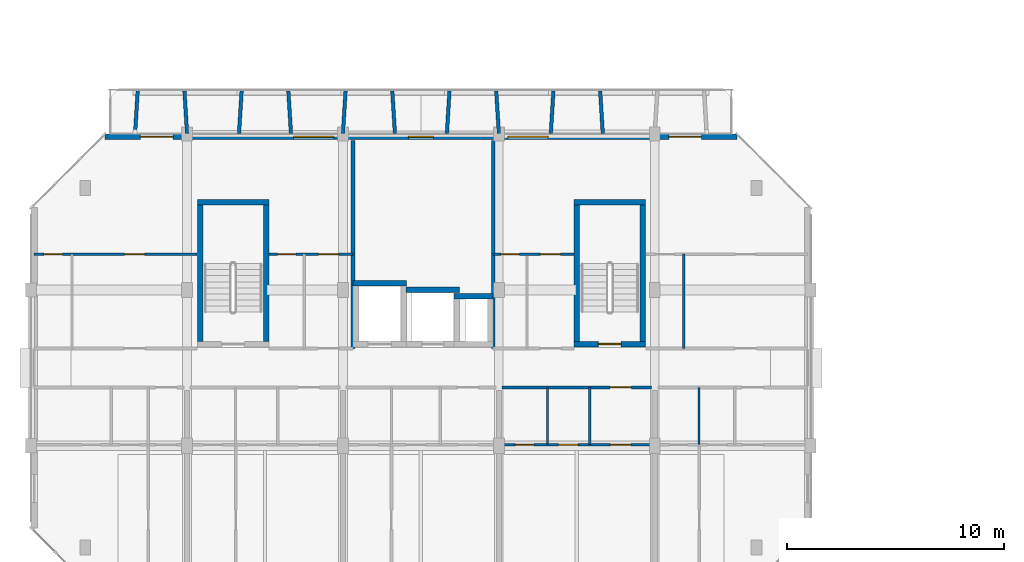
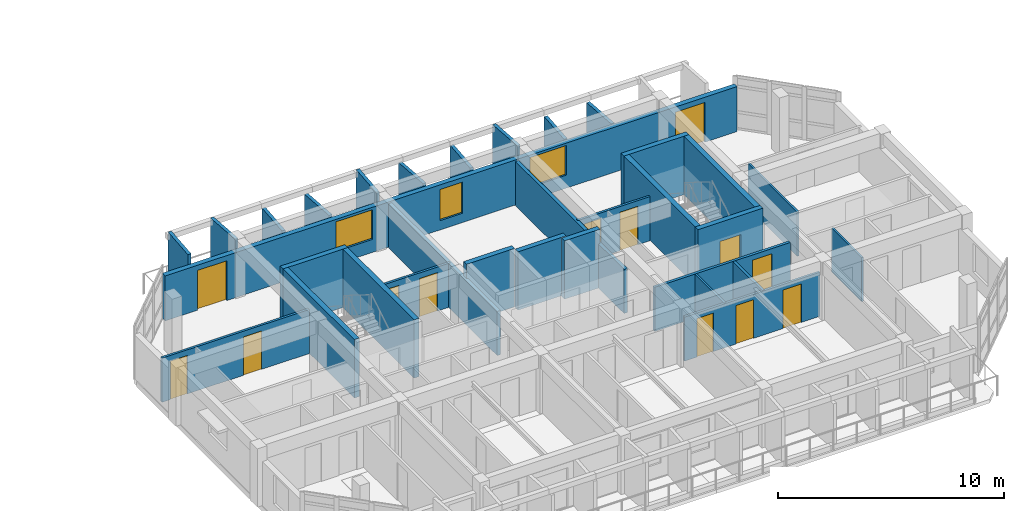
# One storey, part 33 of 64: 32 walls, 13 doors, 3 windows, 16 openings.
"""IFC4 building model written with IfcOpenShell, lengths in metres."""

from ifc_helpers import new_model, si_unit, direction, frame, frame_2d, origin, place, context, subcontext, project, spatial, rectangle, extrude, material, layer, layer_set, type_object, element, fill, save


model = new_model("IFC4")

# Units and contexts
model_context = context("Model", 3, precision=1e-05, world=origin(), true_north=direction((0.0, 1.0)))
body_context = subcontext(model_context, "Body", "Model", "MODEL_VIEW")
ifc_project = project(units=[si_unit("LENGTHUNIT", "METRE"), si_unit("AREAUNIT", "SQUARE_METRE"), si_unit("VOLUMEUNIT", "CUBIC_METRE"), si_unit("PLANEANGLEUNIT", "RADIAN"), si_unit("MASSUNIT", "GRAM", prefix="KILO")], contexts=[model_context])

# Site, building, storey
site_placement = place(None, origin())
site = spatial("IfcSite", under=ifc_project, at=site_placement, CompositionType="ELEMENT")
building_placement = place(site_placement, origin())
building = spatial("IfcBuilding", under=site, at=building_placement, Name="Ochrevale Crest", CompositionType="ELEMENT")
storey_placement = place(building_placement, frame((0.0, 0.0, 8.699951171875)))
storey = spatial("IfcBuildingStorey", under=building, at=storey_placement, Name="L02", CompositionType="ELEMENT", Elevation=8.699951171875)

# Wall, opening, door
ifc_material_1 = material(Name="Gypsum plasterboard", Category="gypsum")
ifc_layer_1 = layer(ifc_material_1, 0.139892578125)
ifc_layer_set_1 = layer_set([ifc_layer_1], Name="Gypsum plasterboard")
wall_type_1 = type_object("IfcWallType", Name="WL-COR-140", PredefinedType="PARTITIONING", material=ifc_layer_set_1)
wall_1_placement = place(storey_placement, frame((21.739990234375, 24.300048828125, 0.0), z_axis=(0.0, 0.0, 1.0), x_axis=(1.0, 0.0, 0.0)))
wall_1 = element("IfcWall", 1, at=wall_1_placement, inside=storey, type_object=wall_type_1, Name="Apartment A-L02-U4 corridor wall", PredefinedType="PARTITIONING", context=body_context, shape_type="SweptSolid", body=[
    extrude(rectangle(XDim=6.919921875, YDim=0.139892578125, at=frame_2d((3.4599609375, 0.0))), origin(), (0.0, 0.0, 1.0), 2.380126953125),
])
opening_1_placement = place(wall_1_placement, frame((4.9951171875, 0.0, 0.0)))
opening_1 = element("IfcOpeningElement", 2, at=opening_1_placement, cuts=wall_1, Name="Opening FD01", PredefinedType="OPENING", context=body_context, shape_type="SweptSolid", body=[
    extrude(rectangle(XDim=0.97998046875, YDim=2.10009765625, at=frame_2d((0.489990234375, 1.050048828125))), frame((0.0, 0.080078125, 0.0), z_axis=(0.0, -1.0, 0.0), x_axis=(1.0, 0.0, 0.0)), (0.0, 0.0, 1.0), 0.159912109375),
])
ifc_material_2 = material(Name="Solid-core FSC hardwood", Category="wood")
door_type_1 = type_object("IfcDoorType", Name="DR-APT-950", OperationType="NOTDEFINED", PredefinedType="DOOR", material=ifc_material_2)
door_1_placement = place(opening_1_placement, origin())
door_1 = element("IfcDoor", 3, at=door_1_placement, inside=storey, type_object=door_type_1, Name="Apartment A-L02-U4 entrance door", OperationType="SINGLE_SWING_LEFT", OverallHeight=2.10009765625, OverallWidth=0.97998046875, PredefinedType="DOOR", context=body_context, shape_type="SweptSolid", body=[
    extrude(rectangle(XDim=0.97998046875, YDim=2.10009765625, at=frame_2d((0.489990234375, 1.050048828125))), frame((0.0, 0.02490234375, 0.0), z_axis=(0.0, -1.0, 0.0), x_axis=(1.0, 0.0, 0.0)), (0.0, 0.0, 1.0), 0.050048828125),
])
fill(opening_1, door_1)

# Walls
ifc_material_3 = material(Name="Precast concrete C50/60", Category="concrete")
ifc_layer_2 = layer(ifc_material_3, 0.2548828125)
ifc_layer_set_2 = layer_set([ifc_layer_2], Name="Precast concrete C50/60")
wall_type_2 = type_object("IfcWallType", Name="WL-CORE-255", PredefinedType="SHEAR", material=ifc_layer_set_2)
wall_2_placement = place(storey_placement, frame((7.672607421875, 32.85009765625, 0.0), z_axis=(0.0, 0.0, 1.0), x_axis=(1.0, 0.0, 0.0)))
element("IfcWall", 4, at=wall_2_placement, inside=storey, type_object=wall_type_2, Name="Block A L02 Stair 1 precast core shear wall N", PredefinedType="SHEAR", context=body_context, shape_type="SweptSolid", body=[
    extrude(rectangle(XDim=3.304931640625, YDim=0.2548828125, at=frame_2d((1.65234375, 0.0))), origin(), (0.0, 0.0, 1.0), 3.150146484375),
])
for number, where, z_axis, x_axis, name in (
    (5, (7.800048828125, 26.427490234375, 0.0), (0.0, 0.0, 1.0), (0.0, 1.0, 0.0), "Block A L02 Stair 1 precast core shear wall W"),
    (6, (10.85009765625, 26.427490234375, 0.0), (0.0, 0.0, 1.0), (0.0, 1.0, 0.0), "Block A L02 Stair 1 precast core shear wall E"),
):
    element("IfcWall", number, at=place(storey_placement, frame(where, z_axis=z_axis, x_axis=x_axis)), inside=storey, type_object=wall_type_2, Name=name, PredefinedType="SHEAR", context=body_context, shape_type="SweptSolid", body=[
        extrude(rectangle(XDim=6.294921875, YDim=0.2548828125, at=frame_2d((3.1474609375, 0.0))), origin(), (0.0, 0.0, 1.0), 3.150146484375),
    ])

# Wall, opening, door
wall_3_placement = place(storey_placement, frame((25.072509765625, 26.300048828125, 0.0), z_axis=(0.0, 0.0, 1.0), x_axis=(1.0, 0.0, 0.0)))
wall_3 = element("IfcWall", 7, at=wall_3_placement, inside=storey, type_object=wall_type_2, Name="Block A L02 Stair 2 precast core shear wall S", PredefinedType="SHEAR", context=body_context, shape_type="SweptSolid", body=[
    extrude(rectangle(XDim=3.304931640625, YDim=0.2548828125, at=frame_2d((1.65234375, 0.0))), origin(), (0.0, 0.0, 1.0), 3.150146484375),
])
opening_2_placement = place(wall_3_placement, frame((1.12744140625, 0.0, 0.0)))
opening_2 = element("IfcOpeningElement", 8, at=opening_2_placement, cuts=wall_3, Name="Opening FD03", PredefinedType="OPENING", context=body_context, shape_type="SweptSolid", body=[
    extrude(rectangle(XDim=1.050048828125, YDim=2.1201171875, at=frame_2d((0.52490234375, 1.06005859375))), frame((0.0, 0.137451171875, 0.0), z_axis=(0.0, -1.0, 0.0), x_axis=(1.0, 0.0, 0.0)), (0.0, 0.0, 1.0), 0.27490234375),
])
door_type_2 = type_object("IfcDoorType", Name="DR-ST-1050", OperationType="NOTDEFINED", PredefinedType="DOOR", material=ifc_material_2)
door_2_placement = place(opening_2_placement, origin())
door_2 = element("IfcDoor", 9, at=door_2_placement, inside=storey, type_object=door_type_2, Name="Block A L02 fire stair 2 door", OperationType="SINGLE_SWING_LEFT", OverallHeight=2.1201171875, OverallWidth=1.050048828125, PredefinedType="DOOR", context=body_context, shape_type="SweptSolid", body=[
    extrude(rectangle(XDim=1.050048828125, YDim=2.1201171875, at=frame_2d((0.52490234375, 1.06005859375))), frame((0.0, 0.02490234375, 0.0), z_axis=(0.0, -1.0, 0.0), x_axis=(1.0, 0.0, 0.0)), (0.0, 0.0, 1.0), 0.050048828125),
])
fill(opening_2, door_2)

# Walls
wall_4_placement = place(storey_placement, frame((25.072509765625, 32.85009765625, 0.0), z_axis=(0.0, 0.0, 1.0), x_axis=(1.0, 0.0, 0.0)))
element("IfcWall", 10, at=wall_4_placement, inside=storey, type_object=wall_type_2, Name="Block A L02 Stair 2 precast core shear wall N", PredefinedType="SHEAR", context=body_context, shape_type="SweptSolid", body=[
    extrude(rectangle(XDim=3.304931640625, YDim=0.2548828125, at=frame_2d((1.65234375, 0.0))), origin(), (0.0, 0.0, 1.0), 3.150146484375),
])
for number, where, z_axis, x_axis, name in (
    (11, (25.199951171875, 26.427490234375, 0.0), (0.0, 0.0, 1.0), (0.0, 1.0, 0.0), "Block A L02 Stair 2 precast core shear wall W"),
    (12, (28.25, 26.427490234375, 0.0), (0.0, 0.0, 1.0), (0.0, 1.0, 0.0), "Block A L02 Stair 2 precast core shear wall E"),
):
    element("IfcWall", number, at=place(storey_placement, frame(where, z_axis=z_axis, x_axis=x_axis)), inside=storey, type_object=wall_type_2, Name=name, PredefinedType="SHEAR", context=body_context, shape_type="SweptSolid", body=[
        extrude(rectangle(XDim=6.294921875, YDim=0.2548828125, at=frame_2d((3.1474609375, 0.0))), origin(), (0.0, 0.0, 1.0), 3.150146484375),
    ])
wall_5_placement = place(storey_placement, frame((14.87255859375, 29.10009765625, 0.0), z_axis=(0.0, 0.0, 1.0), x_axis=(1.0, 0.0, 0.0)))
element("IfcWall", 13, at=wall_5_placement, inside=storey, type_object=wall_type_2, Name="Block A L02 Lift 1 precast shaft shear wall N", PredefinedType="SHEAR", context=body_context, shape_type="SweptSolid", body=[
    extrude(rectangle(XDim=2.454833984375, YDim=0.2548828125, at=frame_2d((1.2275390625, 0.0))), origin(), (0.0, 0.0, 1.0), 3.150146484375),
])
wall_6_placement = place(storey_placement, frame((17.322509765625, 28.800048828125, 0.0), z_axis=(0.0, 0.0, 1.0), x_axis=(1.0, 0.0, 0.0)))
element("IfcWall", 14, at=wall_6_placement, inside=storey, type_object=wall_type_2, Name="Block A L02 Lift 2 precast shaft shear wall N", PredefinedType="SHEAR", context=body_context, shape_type="SweptSolid", body=[
    extrude(rectangle(XDim=2.455078125, YDim=0.2548828125, at=frame_2d((1.2275390625, 0.0))), origin(), (0.0, 0.0, 1.0), 3.150146484375),
])
wall_7_placement = place(storey_placement, frame((19.5224609375, 28.5, 0.0), z_axis=(0.0, 0.0, 1.0), x_axis=(1.0, 0.0, 0.0)))
element("IfcWall", 15, at=wall_7_placement, inside=storey, type_object=wall_type_2, Name="Block A L02 services riser shaft core wall N", PredefinedType="SHEAR", context=body_context, shape_type="SweptSolid", body=[
    extrude(rectangle(XDim=1.804931640625, YDim=0.2548828125, at=frame_2d((0.90234375, 0.0))), origin(), (0.0, 0.0, 1.0), 3.150146484375),
])

# Wall, openings, doors, windows
ifc_material_4 = material(Name="Precast concrete C40/50", Category="concrete")
ifc_layer_3 = layer(ifc_material_4, 0.25)
ifc_layer_set_3 = layer_set([ifc_layer_3], Name="Precast concrete C40/50")
wall_type_3 = type_object("IfcWallType", Name="WL-EXT-GOLD-250", PredefinedType="SOLIDWALL", material=ifc_layer_set_3)
wall_8_placement = place(storey_placement, frame((32.60009765625, 35.875, 0.0), z_axis=(0.0, 0.0, 1.0), x_axis=(-1.0, 0.0, 0.0)))
wall_8 = element("IfcWall", 16, at=wall_8_placement, inside=storey, type_object=wall_type_3, Name="Block A L02 external facade wall E5", PredefinedType="SOLIDWALL", context=body_context, shape_type="SweptSolid", body=[
    extrude(rectangle(XDim=29.2001953125, YDim=0.25, at=frame_2d((14.60009765625, 0.0))), origin(), (0.0, 0.0, 1.0), 2.429931640625),
])
opening_3_placement = place(wall_8_placement, frame((27.550048828125, 0.0, 0.0), z_axis=(0.0, 0.0, 1.0), x_axis=(-1.0, 0.0, 0.0)))
opening_3 = element("IfcOpeningElement", 17, at=opening_3_placement, cuts=wall_8, Name="Opening BD01", PredefinedType="OPENING", context=body_context, shape_type="SweptSolid", body=[
    extrude(rectangle(XDim=1.5, YDim=2.14990234375, at=frame_2d((0.75, 1.074951171875))), frame((0.0, 0.135009765625, 0.0), z_axis=(0.0, -1.0, 0.0), x_axis=(1.0, 0.0, 0.0)), (0.0, 0.0, 1.0), 0.27001953125),
])
opening_4_placement = place(wall_8_placement, frame((3.14990234375, 0.0, 0.0), z_axis=(0.0, 0.0, 1.0), x_axis=(-1.0, 0.0, 0.0)))
opening_4 = element("IfcOpeningElement", 18, at=opening_4_placement, cuts=wall_8, Name="Opening BD01", PredefinedType="OPENING", context=body_context, shape_type="SweptSolid", body=[
    extrude(rectangle(XDim=1.5, YDim=2.14990234375, at=frame_2d((0.75, 1.074951171875))), frame((0.0, 0.135009765625, 0.0), z_axis=(0.0, -1.0, 0.0), x_axis=(1.0, 0.0, 0.0)), (0.0, 0.0, 1.0), 0.27001953125),
])
opening_5_placement = place(wall_8_placement, frame((14.02490234375, 0.0, 0.5)))
opening_5 = element("IfcOpeningElement", 19, at=opening_5_placement, cuts=wall_8, Name="Opening W32", PredefinedType="OPENING", context=body_context, shape_type="SweptSolid", body=[
    extrude(rectangle(XDim=1.14990234375, YDim=1.679931640625, at=frame_2d((0.574951171875, 0.83984375))), frame((0.0, 0.135009765625, 0.0), z_axis=(0.0, -1.0, 0.0), x_axis=(1.0, 0.0, 0.0)), (0.0, 0.0, 1.0), 0.27001953125),
])
opening_6_placement = place(wall_8_placement, frame((8.72509765625, 0.0, 0.699951171875)))
opening_6 = element("IfcOpeningElement", 20, at=opening_6_placement, cuts=wall_8, Name="Opening W11", PredefinedType="OPENING", context=body_context, shape_type="SweptSolid", body=[
    extrude(rectangle(XDim=1.860107421875, YDim=1.60009765625, at=frame_2d((0.93017578125, 0.800048828125))), frame((0.0, 0.135009765625, 0.0), z_axis=(0.0, -1.0, 0.0), x_axis=(1.0, 0.0, 0.0)), (0.0, 0.0, 1.0), 0.27001953125),
])
opening_7_placement = place(wall_8_placement, frame((18.614990234375, 0.0, 0.699951171875)))
opening_7 = element("IfcOpeningElement", 21, at=opening_7_placement, cuts=wall_8, Name="Opening W11", PredefinedType="OPENING", context=body_context, shape_type="SweptSolid", body=[
    extrude(rectangle(XDim=1.860107421875, YDim=1.60009765625, at=frame_2d((0.93017578125, 0.800048828125))), frame((0.0, 0.135009765625, 0.0), z_axis=(0.0, -1.0, 0.0), x_axis=(1.0, 0.0, 0.0)), (0.0, 0.0, 1.0), 0.27001953125),
])
ifc_material_5 = material(Name="Anodised aluminium 6063-T5 and toughened glass", Category="aluminium")
door_type_3 = type_object("IfcDoorType", Name="DR-BAL-1500", OperationType="NOTDEFINED", PredefinedType="DOOR", material=ifc_material_5)
door_3_placement = place(opening_3_placement, origin())
door_3 = element("IfcDoor", 22, at=door_3_placement, inside=storey, type_object=door_type_3, Name="Block A L02 balcony door N1", OperationType="SINGLE_SWING_LEFT", OverallHeight=2.14990234375, OverallWidth=1.5, PredefinedType="DOOR", context=body_context, shape_type="SweptSolid", body=[
    extrude(rectangle(XDim=1.5, YDim=2.14990234375, at=frame_2d((0.75, 1.074951171875))), frame((0.0, 0.02490234375, 0.0), z_axis=(0.0, -1.0, 0.0), x_axis=(1.0, 0.0, 0.0)), (0.0, 0.0, 1.0), 0.050048828125),
])
fill(opening_3, door_3)
door_4_placement = place(opening_4_placement, origin())
door_4 = element("IfcDoor", 23, at=door_4_placement, inside=storey, type_object=door_type_3, Name="Block A L02 balcony door N5", OperationType="SINGLE_SWING_RIGHT", OverallHeight=2.14990234375, OverallWidth=1.5, PredefinedType="DOOR", context=body_context, shape_type="SweptSolid", body=[
    extrude(rectangle(XDim=1.5, YDim=2.14990234375, at=frame_2d((0.75, 1.074951171875))), frame((0.0, 0.02490234375, 0.0), z_axis=(0.0, -1.0, 0.0), x_axis=(1.0, 0.0, 0.0)), (0.0, 0.0, 1.0), 0.050048828125),
])
fill(opening_4, door_4)
ifc_material_6 = material(Name="Anodised aluminium 6063-T5 and low-E double glazing", Category="aluminium")
window_type_1 = type_object("IfcWindowType", Name="WIN-W11", PartitioningType="SINGLE_PANEL", PredefinedType="WINDOW", material=ifc_material_6)
window_1_placement = place(opening_6_placement, origin())
window_1 = element("IfcWindow", 24, at=window_1_placement, inside=storey, type_object=window_type_1, Name="Block A L02 Suite A-L02-ME Garden Alcove Studio window", OverallHeight=1.60009765625, OverallWidth=1.860107421875, PartitioningType="SINGLE_PANEL", PredefinedType="WINDOW", context=body_context, shape_type="SweptSolid", body=[
    extrude(rectangle(XDim=1.860107421875, YDim=1.60009765625, at=frame_2d((0.93017578125, 0.800048828125))), frame((0.0, 0.030029296875, 0.0), z_axis=(0.0, -1.0, 0.0), x_axis=(1.0, 0.0, 0.0)), (0.0, 0.0, 1.0), 0.06005859375),
])
fill(opening_6, window_1)
window_2_placement = place(opening_7_placement, origin())
window_2 = element("IfcWindow", 25, at=window_2_placement, inside=storey, type_object=window_type_1, Name="Block A L02 Suite A-L02-MW Courtyard Studio Living window", OverallHeight=1.60009765625, OverallWidth=1.860107421875, PartitioningType="SINGLE_PANEL", PredefinedType="WINDOW", context=body_context, shape_type="SweptSolid", body=[
    extrude(rectangle(XDim=1.860107421875, YDim=1.60009765625, at=frame_2d((0.93017578125, 0.800048828125))), frame((0.0, 0.030029296875, 0.0), z_axis=(0.0, -1.0, 0.0), x_axis=(1.0, 0.0, 0.0)), (0.0, 0.0, 1.0), 0.06005859375),
])
fill(opening_7, window_2)
window_type_2 = type_object("IfcWindowType", Name="WIN-W32", PartitioningType="SINGLE_PANEL", PredefinedType="WINDOW", material=ifc_material_6)
window_3_placement = place(opening_5_placement, origin())
window_3 = element("IfcWindow", 26, at=window_3_placement, inside=storey, type_object=window_type_2, Name="Block A L02 core lancet window", OverallHeight=1.679931640625, OverallWidth=1.14990234375, PartitioningType="SINGLE_PANEL", PredefinedType="WINDOW", context=body_context, shape_type="SweptSolid", body=[
    extrude(rectangle(XDim=1.14990234375, YDim=1.679931640625, at=frame_2d((0.574951171875, 0.83984375))), frame((0.0, 0.030029296875, 0.0), z_axis=(0.0, -1.0, 0.0), x_axis=(1.0, 0.0, 0.0)), (0.0, 0.0, 1.0), 0.06005859375),
])
fill(opening_5, window_3)

# Walls
ifc_layer_4 = layer(ifc_material_4, 0.1650390625)
ifc_layer_set_4 = layer_set([ifc_layer_4], Name="Precast concrete C40/50")
wall_type_4 = type_object("IfcWallType", Name="WL-HC-CHEEK-165", PredefinedType="ELEMENTEDWALL", material=ifc_layer_set_4)
for number, where, z_axis, x_axis, name in (
    (27, (4.800048828125, 36.02001953125, 0.0), (0.0, 0.0, 1.0), (0.061046865508, 0.998134900808, 0.0), "Block A L02 N precast honeycomb cheek 1"),
    (28, (7.199951171875, 36.02001953125, 0.0), (0.0, 0.0, 1.0), (-0.061046865508, 0.998134900808, 0.0), "Block A L02 N precast honeycomb cheek 2"),
):
    element("IfcWall", number, at=place(storey_placement, frame(where, z_axis=z_axis, x_axis=x_axis)), inside=storey, type_object=wall_type_4, Name=name, PredefinedType="ELEMENTEDWALL", context=body_context, shape_type="SweptSolid", body=[
        extrude(rectangle(XDim=1.963623046875, YDim=0.1650390625, at=frame_2d((0.98193359375, 0.0))), origin(), (0.0, 0.0, 1.0), 2.949951171875),
    ])
for number, where, z_axis, x_axis, name in (
    (29, (9.60009765625, 36.02001953125, 0.0), (0.0, 0.0, 1.0), (0.061046865508, 0.998134900808, 0.0), "Block A L02 N precast honeycomb cheek 3"),
    (30, (12.0, 36.02001953125, 0.0), (0.0, 0.0, 1.0), (-0.061170732449, 0.998127317276, 0.0), "Block A L02 N precast honeycomb cheek 4"),
):
    element("IfcWall", number, at=place(storey_placement, frame(where, z_axis=z_axis, x_axis=x_axis)), inside=storey, type_object=wall_type_4, Name=name, PredefinedType="ELEMENTEDWALL", context=body_context, shape_type="SweptSolid", body=[
        extrude(rectangle(XDim=1.963623046875, YDim=0.1650390625, at=frame_2d((0.98193359375, 0.0))), origin(), (0.0, 0.0, 1.0), 2.550048828125),
    ])
wall_9_placement = place(storey_placement, frame((14.39990234375, 36.02001953125, 0.0), z_axis=(0.0, 0.0, 1.0), x_axis=(0.061170732449, 0.998127317276, 0.0)))
element("IfcWall", 31, at=wall_9_placement, inside=storey, type_object=wall_type_4, Name="Block A L02 N precast honeycomb cheek 5", PredefinedType="ELEMENTEDWALL", context=body_context, shape_type="SweptSolid", body=[
    extrude(rectangle(XDim=1.963623046875, YDim=0.1650390625, at=frame_2d((0.98193359375, 0.0))), origin(), (0.0, 0.0, 1.0), 2.949951171875),
])
for number, where, z_axis, x_axis, name in (
    (32, (16.800048828125, 36.02001953125, 0.0), (0.0, 0.0, 1.0), (-0.061170732449, 0.998127317276, 0.0), "Block A L02 N precast honeycomb cheek 6"),
    (33, (19.199951171875, 36.02001953125, 0.0), (0.0, 0.0, 1.0), (0.061170732449, 0.998127317276, 0.0), "Block A L02 N precast honeycomb cheek 7"),
):
    element("IfcWall", number, at=place(storey_placement, frame(where, z_axis=z_axis, x_axis=x_axis)), inside=storey, type_object=wall_type_4, Name=name, PredefinedType="ELEMENTEDWALL", context=body_context, shape_type="SweptSolid", body=[
        extrude(rectangle(XDim=1.963623046875, YDim=0.1650390625, at=frame_2d((0.98193359375, 0.0))), origin(), (0.0, 0.0, 1.0), 2.580078125),
    ])
wall_10_placement = place(storey_placement, frame((21.60009765625, 36.02001953125, 0.0), z_axis=(0.0, 0.0, 1.0), x_axis=(-0.061170732449, 0.998127317276, 0.0)))
element("IfcWall", 34, at=wall_10_placement, inside=storey, type_object=wall_type_4, Name="Block A L02 N precast honeycomb cheek 8", PredefinedType="ELEMENTEDWALL", context=body_context, shape_type="SweptSolid", body=[
    extrude(rectangle(XDim=1.963623046875, YDim=0.1650390625, at=frame_2d((0.98193359375, 0.0))), origin(), (0.0, 0.0, 1.0), 2.949951171875),
])
for number, where, z_axis, x_axis, name in (
    (35, (24.0, 36.02001953125, 0.0), (0.0, 0.0, 1.0), (0.061170732449, 0.998127317276, 0.0), "Block A L02 N precast honeycomb cheek 9"),
    (36, (26.39990234375, 36.02001953125, 0.0), (0.0, 0.0, 1.0), (-0.061046865508, 0.998134900808, 0.0), "Block A L02 N precast honeycomb cheek 10"),
):
    element("IfcWall", number, at=place(storey_placement, frame(where, z_axis=z_axis, x_axis=x_axis)), inside=storey, type_object=wall_type_4, Name=name, PredefinedType="ELEMENTEDWALL", context=body_context, shape_type="SweptSolid", body=[
        extrude(rectangle(XDim=1.963623046875, YDim=0.1650390625, at=frame_2d((0.98193359375, 0.0))), origin(), (0.0, 0.0, 1.0), 2.449951171875),
    ])
ifc_layer_5 = layer(ifc_material_1, 0.1201171875)
ifc_layer_set_5 = layer_set([ifc_layer_5], Name="Gypsum plasterboard")
wall_type_5 = type_object("IfcWallType", Name="WL-PART-120", PredefinedType="PARTITIONING", material=ifc_layer_set_5)
wall_11_placement = place(storey_placement, frame((25.7900390625, 21.64990234375, 0.0), z_axis=(0.0, 0.0, 1.0), x_axis=(0.0, 1.0, 0.0)))
element("IfcWall", 37, at=wall_11_placement, inside=storey, type_object=wall_type_5, Name="Apartment A-L02-U4 kitchen-foyer wall", PredefinedType="PARTITIONING", context=body_context, shape_type="SweptSolid", body=[
    extrude(rectangle(XDim=2.650146484375, YDim=0.1201171875, at=frame_2d((1.3251953125, 0.0))), origin(), (0.0, 0.0, 1.0), 2.375),
])

# Wall, openings, doors
wall_12_placement = place(storey_placement, frame((21.739990234375, 21.64990234375, 0.0), z_axis=(0.0, 0.0, 1.0), x_axis=(1.0, 0.0, 0.0)))
wall_12 = element("IfcWall", 38, at=wall_12_placement, inside=storey, type_object=wall_type_5, Name="Apartment A-L02-U4 central partition", PredefinedType="PARTITIONING", context=body_context, shape_type="SweptSolid", body=[
    extrude(rectangle(XDim=6.919921875, YDim=0.1201171875, at=frame_2d((3.4599609375, 0.0))), origin(), (0.0, 0.0, 1.0), 2.375),
])
opening_8_placement = place(wall_12_placement, frame((1.47509765625, 0.0, 0.0), z_axis=(0.0, 0.0, 1.0), x_axis=(-1.0, 0.0, 0.0)))
opening_8 = element("IfcOpeningElement", 39, at=opening_8_placement, cuts=wall_12, Name="Opening ID01", PredefinedType="OPENING", context=body_context, shape_type="SweptSolid", body=[
    extrude(rectangle(XDim=0.85009765625, YDim=2.080078125, at=frame_2d((0.425048828125, 1.0400390625))), frame((0.0, 0.070068359375, 0.0), z_axis=(0.0, -1.0, 0.0), x_axis=(1.0, 0.0, 0.0)), (0.0, 0.0, 1.0), 0.14013671875),
])
opening_9_placement = place(wall_12_placement, frame((2.625, 0.0, 0.0)))
opening_9 = element("IfcOpeningElement", 40, at=opening_9_placement, cuts=wall_12, Name="Opening ID02", PredefinedType="OPENING", context=body_context, shape_type="SweptSolid", body=[
    extrude(rectangle(XDim=0.89990234375, YDim=2.080078125, at=frame_2d((0.449951171875, 1.0400390625))), frame((0.0, 0.070068359375, 0.0), z_axis=(0.0, -1.0, 0.0), x_axis=(1.0, 0.0, 0.0)), (0.0, 0.0, 1.0), 0.14013671875),
])
opening_10_placement = place(wall_12_placement, frame((5.9599609375, 0.0, 0.0), z_axis=(0.0, 0.0, 1.0), x_axis=(-1.0, 0.0, 0.0)))
opening_10 = element("IfcOpeningElement", 41, at=opening_10_placement, cuts=wall_12, Name="Opening ID06", PredefinedType="OPENING", context=body_context, shape_type="SweptSolid", body=[
    extrude(rectangle(XDim=0.949951171875, YDim=2.080078125, at=frame_2d((0.47509765625, 1.0400390625))), frame((0.0, 0.070068359375, 0.0), z_axis=(0.0, -1.0, 0.0), x_axis=(1.0, 0.0, 0.0)), (0.0, 0.0, 1.0), 0.14013671875),
])
door_type_4 = type_object("IfcDoorType", Name="DR-INT-900", OperationType="NOTDEFINED", PredefinedType="DOOR", material=ifc_material_2)
door_5_placement = place(opening_9_placement, origin())
door_5 = element("IfcDoor", 42, at=door_5_placement, inside=storey, type_object=door_type_4, Name="Apartment A-L02-U4 Kitchen door", OperationType="SINGLE_SWING_LEFT", OverallHeight=2.080078125, OverallWidth=0.89990234375, PredefinedType="DOOR", context=body_context, shape_type="SweptSolid", body=[
    extrude(rectangle(XDim=0.89990234375, YDim=2.080078125, at=frame_2d((0.449951171875, 1.0400390625))), frame((0.0, 0.02490234375, 0.0), z_axis=(0.0, -1.0, 0.0), x_axis=(1.0, 0.0, 0.0)), (0.0, 0.0, 1.0), 0.050048828125),
])
fill(opening_9, door_5)
door_type_5 = type_object("IfcDoorType", Name="DR-INT-950", OperationType="NOTDEFINED", PredefinedType="DOOR", material=ifc_material_2)
door_6_placement = place(opening_10_placement, origin())
door_6 = element("IfcDoor", 43, at=door_6_placement, inside=storey, type_object=door_type_5, Name="Apartment A-L02-U4 Living Foyer door", OperationType="SINGLE_SWING_RIGHT", OverallHeight=2.080078125, OverallWidth=0.949951171875, PredefinedType="DOOR", context=body_context, shape_type="SweptSolid", body=[
    extrude(rectangle(XDim=0.949951171875, YDim=2.080078125, at=frame_2d((0.47509765625, 1.0400390625))), frame((0.0, 0.02490234375, 0.0), z_axis=(0.0, -1.0, 0.0), x_axis=(1.0, 0.0, 0.0)), (0.0, 0.0, 1.0), 0.050048828125),
])
fill(opening_10, door_6)
door_type_6 = type_object("IfcDoorType", Name="DR-WC-850", OperationType="NOTDEFINED", PredefinedType="DOOR", material=ifc_material_2)
door_7_placement = place(opening_8_placement, origin())
door_7 = element("IfcDoor", 44, at=door_7_placement, inside=storey, type_object=door_type_6, Name="Apartment A-L02-U4 Bathroom door", OperationType="SINGLE_SWING_RIGHT", OverallHeight=2.080078125, OverallWidth=0.85009765625, PredefinedType="DOOR", context=body_context, shape_type="SweptSolid", body=[
    extrude(rectangle(XDim=0.85009765625, YDim=2.080078125, at=frame_2d((0.425048828125, 1.0400390625))), frame((0.0, 0.02490234375, 0.0), z_axis=(0.0, -1.0, 0.0), x_axis=(1.0, 0.0, 0.0)), (0.0, 0.0, 1.0), 0.050048828125),
])
fill(opening_8, door_7)

wall_13_placement = place(storey_placement, frame((0.139892578125, 30.449951171875, 0.0), z_axis=(0.0, 0.0, 1.0), x_axis=(1.0, 0.0, 0.0)))
wall_13 = element("IfcWall", 45, at=wall_13_placement, inside=storey, type_object=wall_type_5, Name="Suite A-L02-CW internal wall", PredefinedType="PARTITIONING", context=body_context, shape_type="SweptSolid", body=[
    extrude(rectangle(XDim=7.52001953125, YDim=0.1201171875, at=frame_2d((3.760009765625, 0.0))), origin(), (0.0, 0.0, 1.0), 2.380126953125),
])
opening_11_placement = place(wall_13_placement, frame((0.449951171875, 0.0, 0.0)))
opening_11 = element("IfcOpeningElement", 46, at=opening_11_placement, cuts=wall_13, Name="Opening ID01", PredefinedType="OPENING", context=body_context, shape_type="SweptSolid", body=[
    extrude(rectangle(XDim=0.85009765625, YDim=2.080078125, at=frame_2d((0.425048828125, 1.0400390625))), frame((0.0, 0.070068359375, 0.0), z_axis=(0.0, -1.0, 0.0), x_axis=(1.0, 0.0, 0.0)), (0.0, 0.0, 1.0), 0.14013671875),
])
opening_12_placement = place(wall_13_placement, frame((5.094970703125, 0.0, 0.0), z_axis=(0.0, 0.0, 1.0), x_axis=(-1.0, 0.0, 0.0)))
opening_12 = element("IfcOpeningElement", 47, at=opening_12_placement, cuts=wall_13, Name="Opening ID04", PredefinedType="OPENING", context=body_context, shape_type="SweptSolid", body=[
    extrude(rectangle(XDim=0.919921875, YDim=2.080078125, at=frame_2d((0.4599609375, 1.0400390625))), frame((0.0, 0.070068359375, 0.0), z_axis=(0.0, -1.0, 0.0), x_axis=(1.0, 0.0, 0.0)), (0.0, 0.0, 1.0), 0.14013671875),
])
door_type_7 = type_object("IfcDoorType", Name="DR-INT-920", OperationType="NOTDEFINED", PredefinedType="DOOR", material=ifc_material_2)
door_8_placement = place(opening_12_placement, origin())
door_8 = element("IfcDoor", 48, at=door_8_placement, inside=storey, type_object=door_type_7, Name="Suite A-L02-CW Garden Alcove Studio door", OperationType="SINGLE_SWING_RIGHT", OverallHeight=2.080078125, OverallWidth=0.919921875, PredefinedType="DOOR", context=body_context, shape_type="SweptSolid", body=[
    extrude(rectangle(XDim=0.919921875, YDim=2.080078125, at=frame_2d((0.4599609375, 1.0400390625))), frame((0.0, 0.02490234375, 0.0), z_axis=(0.0, -1.0, 0.0), x_axis=(1.0, 0.0, 0.0)), (0.0, 0.0, 1.0), 0.050048828125),
])
fill(opening_12, door_8)
door_9_placement = place(opening_11_placement, origin())
door_9 = element("IfcDoor", 49, at=door_9_placement, inside=storey, type_object=door_type_6, Name="Suite A-L02-CW Bathroom door", OperationType="SINGLE_SWING_LEFT", OverallHeight=2.080078125, OverallWidth=0.85009765625, PredefinedType="DOOR", context=body_context, shape_type="SweptSolid", body=[
    extrude(rectangle(XDim=0.85009765625, YDim=2.080078125, at=frame_2d((0.425048828125, 1.0400390625))), frame((0.0, 0.02490234375, 0.0), z_axis=(0.0, -1.0, 0.0), x_axis=(1.0, 0.0, 0.0)), (0.0, 0.0, 1.0), 0.050048828125),
])
fill(opening_11, door_9)

wall_14_placement = place(storey_placement, frame((10.989990234375, 30.449951171875, 0.0), z_axis=(0.0, 0.0, 1.0), x_axis=(1.0, 0.0, 0.0)))
wall_14 = element("IfcWall", 50, at=wall_14_placement, inside=storey, type_object=wall_type_5, Name="Suite A-L02-MW internal wall", PredefinedType="PARTITIONING", context=body_context, shape_type="SweptSolid", body=[
    extrude(rectangle(XDim=3.8701171875, YDim=0.1201171875, at=frame_2d((1.93505859375, 0.0))), origin(), (0.0, 0.0, 1.0), 2.380126953125),
])
opening_13_placement = place(wall_14_placement, frame((1.23779296875, 0.0, 0.0), z_axis=(0.0, 0.0, 1.0), x_axis=(-1.0, 0.0, 0.0)))
opening_13 = element("IfcOpeningElement", 51, at=opening_13_placement, cuts=wall_14, Name="Opening ID01", PredefinedType="OPENING", context=body_context, shape_type="SweptSolid", body=[
    extrude(rectangle(XDim=0.85009765625, YDim=2.080078125, at=frame_2d((0.425048828125, 1.0400390625))), frame((0.0, 0.070068359375, 0.0), z_axis=(0.0, -1.0, 0.0), x_axis=(1.0, 0.0, 0.0)), (0.0, 0.0, 1.0), 0.14013671875),
])
opening_14_placement = place(wall_14_placement, frame((2.28759765625, 0.0, 0.0)))
opening_14 = element("IfcOpeningElement", 52, at=opening_14_placement, cuts=wall_14, Name="Opening ID04", PredefinedType="OPENING", context=body_context, shape_type="SweptSolid", body=[
    extrude(rectangle(XDim=0.919921875, YDim=2.080078125, at=frame_2d((0.4599609375, 1.0400390625))), frame((0.0, 0.070068359375, 0.0), z_axis=(0.0, -1.0, 0.0), x_axis=(1.0, 0.0, 0.0)), (0.0, 0.0, 1.0), 0.14013671875),
])
door_10_placement = place(opening_14_placement, origin())
door_10 = element("IfcDoor", 53, at=door_10_placement, inside=storey, type_object=door_type_7, Name="Suite A-L02-MW Courtyard Studio Living door", OperationType="SINGLE_SWING_LEFT", OverallHeight=2.080078125, OverallWidth=0.919921875, PredefinedType="DOOR", context=body_context, shape_type="SweptSolid", body=[
    extrude(rectangle(XDim=0.919921875, YDim=2.080078125, at=frame_2d((0.4599609375, 1.0400390625))), frame((0.0, 0.02490234375, 0.0), z_axis=(0.0, -1.0, 0.0), x_axis=(1.0, 0.0, 0.0)), (0.0, 0.0, 1.0), 0.050048828125),
])
fill(opening_14, door_10)
door_11_placement = place(opening_13_placement, origin())
door_11 = element("IfcDoor", 54, at=door_11_placement, inside=storey, type_object=door_type_6, Name="Suite A-L02-MW Bathroom door", OperationType="SINGLE_SWING_RIGHT", OverallHeight=2.080078125, OverallWidth=0.85009765625, PredefinedType="DOOR", context=body_context, shape_type="SweptSolid", body=[
    extrude(rectangle(XDim=0.85009765625, YDim=2.080078125, at=frame_2d((0.425048828125, 1.0400390625))), frame((0.0, 0.02490234375, 0.0), z_axis=(0.0, -1.0, 0.0), x_axis=(1.0, 0.0, 0.0)), (0.0, 0.0, 1.0), 0.050048828125),
])
fill(opening_13, door_11)

wall_15_placement = place(storey_placement, frame((21.340087890625, 30.449951171875, 0.0), z_axis=(0.0, 0.0, 1.0), x_axis=(1.0, 0.0, 0.0)))
wall_15 = element("IfcWall", 55, at=wall_15_placement, inside=storey, type_object=wall_type_5, Name="Suite A-L02-ME internal wall", PredefinedType="PARTITIONING", context=body_context, shape_type="SweptSolid", body=[
    extrude(rectangle(XDim=3.719970703125, YDim=0.1201171875, at=frame_2d((1.85986328125, 0.0))), origin(), (0.0, 0.0, 1.0), 2.380126953125),
])
opening_15_placement = place(wall_15_placement, frame((0.356201171875, 0.0, 0.0)))
opening_15 = element("IfcOpeningElement", 56, at=opening_15_placement, cuts=wall_15, Name="Opening ID01", PredefinedType="OPENING", context=body_context, shape_type="SweptSolid", body=[
    extrude(rectangle(XDim=0.85009765625, YDim=2.080078125, at=frame_2d((0.425048828125, 1.0400390625))), frame((0.0, 0.070068359375, 0.0), z_axis=(0.0, -1.0, 0.0), x_axis=(1.0, 0.0, 0.0)), (0.0, 0.0, 1.0), 0.14013671875),
])
opening_16_placement = place(wall_15_placement, frame((3.10107421875, 0.0, 0.0), z_axis=(0.0, 0.0, 1.0), x_axis=(-1.0, 0.0, 0.0)))
opening_16 = element("IfcOpeningElement", 57, at=opening_16_placement, cuts=wall_15, Name="Opening ID04", PredefinedType="OPENING", context=body_context, shape_type="SweptSolid", body=[
    extrude(rectangle(XDim=0.919921875, YDim=2.080078125, at=frame_2d((0.4599609375, 1.0400390625))), frame((0.0, 0.070068359375, 0.0), z_axis=(0.0, -1.0, 0.0), x_axis=(1.0, 0.0, 0.0)), (0.0, 0.0, 1.0), 0.14013671875),
])
door_12_placement = place(opening_16_placement, origin())
door_12 = element("IfcDoor", 58, at=door_12_placement, inside=storey, type_object=door_type_7, Name="Suite A-L02-ME Garden Alcove Studio door", OperationType="SINGLE_SWING_RIGHT", OverallHeight=2.080078125, OverallWidth=0.919921875, PredefinedType="DOOR", context=body_context, shape_type="SweptSolid", body=[
    extrude(rectangle(XDim=0.919921875, YDim=2.080078125, at=frame_2d((0.4599609375, 1.0400390625))), frame((0.0, 0.02490234375, 0.0), z_axis=(0.0, -1.0, 0.0), x_axis=(1.0, 0.0, 0.0)), (0.0, 0.0, 1.0), 0.050048828125),
])
fill(opening_16, door_12)
door_13_placement = place(opening_15_placement, origin())
door_13 = element("IfcDoor", 59, at=door_13_placement, inside=storey, type_object=door_type_6, Name="Suite A-L02-ME Bathroom door", OperationType="SINGLE_SWING_LEFT", OverallHeight=2.080078125, OverallWidth=0.85009765625, PredefinedType="DOOR", context=body_context, shape_type="SweptSolid", body=[
    extrude(rectangle(XDim=0.85009765625, YDim=2.080078125, at=frame_2d((0.425048828125, 1.0400390625))), frame((0.0, 0.02490234375, 0.0), z_axis=(0.0, -1.0, 0.0), x_axis=(1.0, 0.0, 0.0)), (0.0, 0.0, 1.0), 0.050048828125),
])
fill(opening_15, door_13)

# Walls
ifc_layer_6 = layer(ifc_material_1, 0.169921875)
ifc_layer_set_6 = layer_set([ifc_layer_6], Name="Gypsum plasterboard")
wall_type_6 = type_object("IfcWallType", Name="WL-TEN-170", PredefinedType="PARTITIONING", material=ifc_layer_set_6)
for number, where, z_axis, x_axis, name in (
    (60, (14.860107421875, 26.10009765625, 0.0), (0.0, 0.0, 1.0), (0.0, 1.0, 0.0), "Suite A-L02-MW east party wall"),
    (61, (21.340087890625, 26.10009765625, 0.0), (0.0, 0.0, 1.0), (0.0, 1.0, 0.0), "Suite A-L02-ME west party wall"),
):
    element("IfcWall", number, at=place(storey_placement, frame(where, z_axis=z_axis, x_axis=x_axis)), inside=storey, type_object=wall_type_6, Name=name, PredefinedType="PARTITIONING", context=body_context, shape_type="SweptSolid", body=[
        extrude(rectangle(XDim=9.599853515625, YDim=0.169921875, at=frame_2d((4.7998046875, 0.0))), origin(), (0.0, 0.0, 1.0), 2.380126953125),
    ])
ifc_layer_7 = layer(ifc_material_1, 0.10009765625)
ifc_layer_set_7 = layer_set([ifc_layer_7], Name="Gypsum plasterboard")
wall_type_7 = type_object("IfcWallType", Name="WL-WET-100", PredefinedType="PARTITIONING", material=ifc_layer_set_7)
for number, where, z_axis, x_axis, name in (
    (62, (23.840087890625, 21.64990234375, 0.0), (0.0, 0.0, 1.0), (0.0, 1.0, 0.0), "Apartment A-L02-U4 bath-kitchen wall"),
    (63, (30.85009765625, 21.64990234375, 0.0), (0.0, 0.0, 1.0), (0.0, 1.0, 0.0), "Apartment A-L02-U5 bath-kitchen wall"),
):
    element("IfcWall", number, at=place(storey_placement, frame(where, z_axis=z_axis, x_axis=x_axis)), inside=storey, type_object=wall_type_7, Name=name, PredefinedType="PARTITIONING", context=body_context, shape_type="SweptSolid", body=[
        extrude(rectangle(XDim=2.650146484375, YDim=0.10009765625, at=frame_2d((1.3251953125, 0.0))), origin(), (0.0, 0.0, 1.0), 2.375),
    ])
wall_16_placement = place(storey_placement, frame((30.139892578125, 26.10009765625, 0.0), z_axis=(0.0, 0.0, 1.0), x_axis=(0.0, 1.0, 0.0)))
element("IfcWall", 64, at=wall_16_placement, inside=storey, type_object=wall_type_7, Name="Suite A-L02-CE bathroom divider", PredefinedType="PARTITIONING", context=body_context, shape_type="SweptSolid", body=[
    extrude(rectangle(XDim=4.349853515625, YDim=0.10009765625, at=frame_2d((2.1748046875, 0.0))), origin(), (0.0, 0.0, 1.0), 2.375),
])

save(model, "model.ifc")
